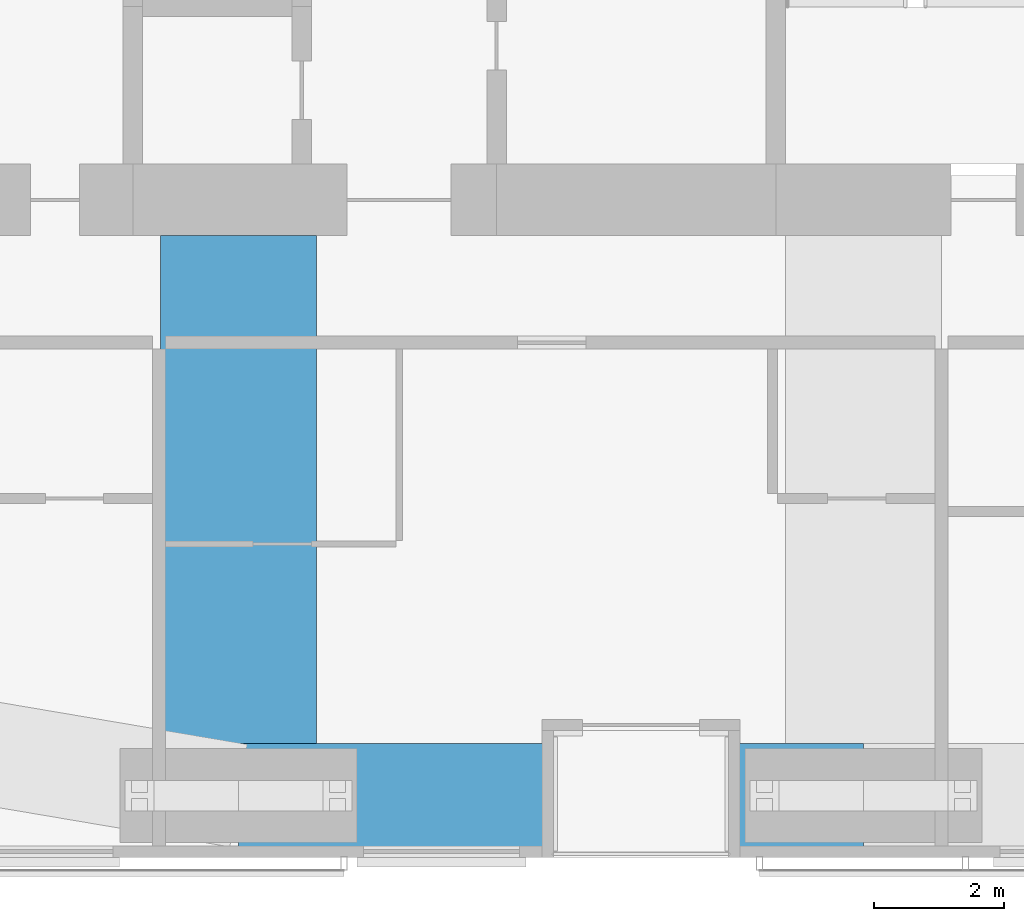
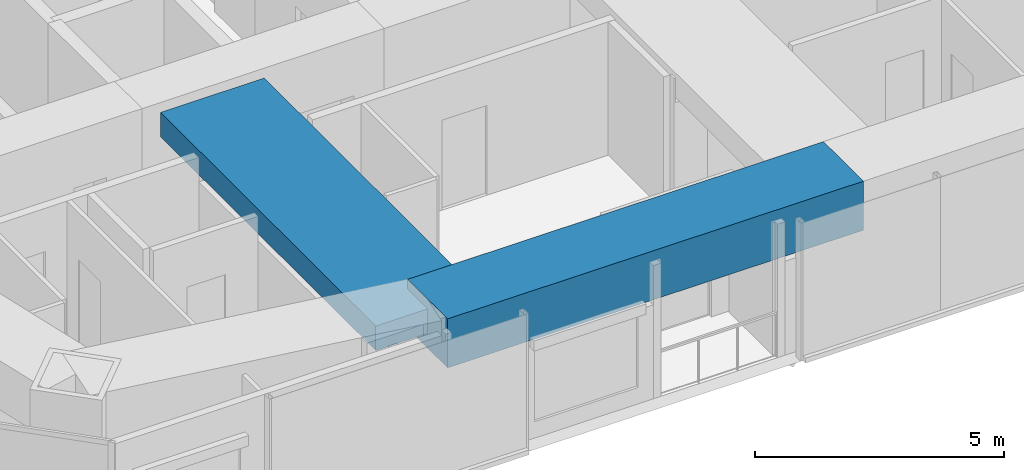
# One storey, part 3 of 19: 2 beams.
"""IFC4 building model written with IfcOpenShell, lengths in metres."""

from ifc_helpers import new_model, si_unit, direction, frame, origin, origin_2d, place, context, subcontext, project, spatial, rectangle, extrude, material, material_profile, profile_set, type_object, element, save


model = new_model("IFC4")

# Units and contexts
model_context = context("Model", 3, precision=1e-05, world=origin(), true_north=direction((0.0, 1.0)))
body_context = subcontext(model_context, "Body", "Model", "MODEL_VIEW")
ifc_project = project(units=[si_unit("LENGTHUNIT", "METRE"), si_unit("AREAUNIT", "SQUARE_METRE"), si_unit("VOLUMEUNIT", "CUBIC_METRE"), si_unit("PLANEANGLEUNIT", "RADIAN"), si_unit("MASSUNIT", "GRAM", prefix="KILO")], contexts=[model_context])

# Site, building, storey
site_placement = place(None, origin())
site = spatial("IfcSite", under=ifc_project, at=site_placement, CompositionType="ELEMENT")
building_placement = place(site_placement, origin())
building = spatial("IfcBuilding", under=site, at=building_placement, Name="Jalousie Tower", CompositionType="ELEMENT")
storey_placement = place(building_placement, frame((0.0, 0.0, 217.949951171875)))
storey = spatial("IfcBuildingStorey", under=building, at=storey_placement, Name="L59", CompositionType="ELEMENT", Elevation=217.949951171875)

# Beams
ifc_material_1 = material(Name="Concrete f'c 40 MPa", Category="concrete")
ifc_material_profile_1 = material_profile(ifc_material_1, rectangle(XDim=1.60009765625, YDim=1.199951171875, at=origin_2d()), Name="RC 1600x1200")
ifc_profile_set_1 = profile_set([ifc_material_profile_1], Name="Concrete f'c 40 MPa")
beam_type_1 = type_object("IfcBeamType", Name="RC BEAM 1600x1200", PredefinedType="BEAM", material=ifc_profile_set_1)
beam_1_placement = place(storey_placement, frame((27.625, 0.949951171875, 2.900146484375), z_axis=(1.0, 0.0, 0.0), x_axis=(0.0, 1.0, 0.0)))
element("IfcBeam", 1, at=beam_1_placement, inside=storey, type_object=beam_type_1, Name="Edge band beam 02-03 under L60", PredefinedType="BEAM", context=body_context, shape_type="SweptSolid", body=[
    extrude(rectangle(XDim=1.60009765625, YDim=1.199951171875, at=origin_2d()), origin(), (0.0, 0.0, 1.0), 9.625),
])
ifc_material_2 = material(Name="Concrete f'c 40 MPa", Category="concrete")
ifc_material_profile_2 = material_profile(ifc_material_2, rectangle(XDim=2.39990234375, YDim=0.60009765625, at=origin_2d()), Name="RC 2400x600")
ifc_profile_set_2 = profile_set([ifc_material_profile_2], Name="Concrete f'c 40 MPa")
beam_type_2 = type_object("IfcBeamType", Name="RC BEAM 2400x600", PredefinedType="BEAM", material=ifc_profile_set_2)
beam_2_placement = place(storey_placement, frame((27.625, 0.949951171875, 2.9599609375), z_axis=(0.0, 1.0, 0.0), x_axis=(-1.0, 0.0, 0.0)))
element("IfcBeam", 2, at=beam_2_placement, inside=storey, type_object=beam_type_2, Name="Floor band beam under L60", PredefinedType="BEAM", context=body_context, shape_type="SweptSolid", body=[
    extrude(rectangle(XDim=2.39990234375, YDim=0.60009765625, at=origin_2d()), origin(), (0.0, 0.0, 1.0), 8.625),
])

save(model, "model.ifc")
